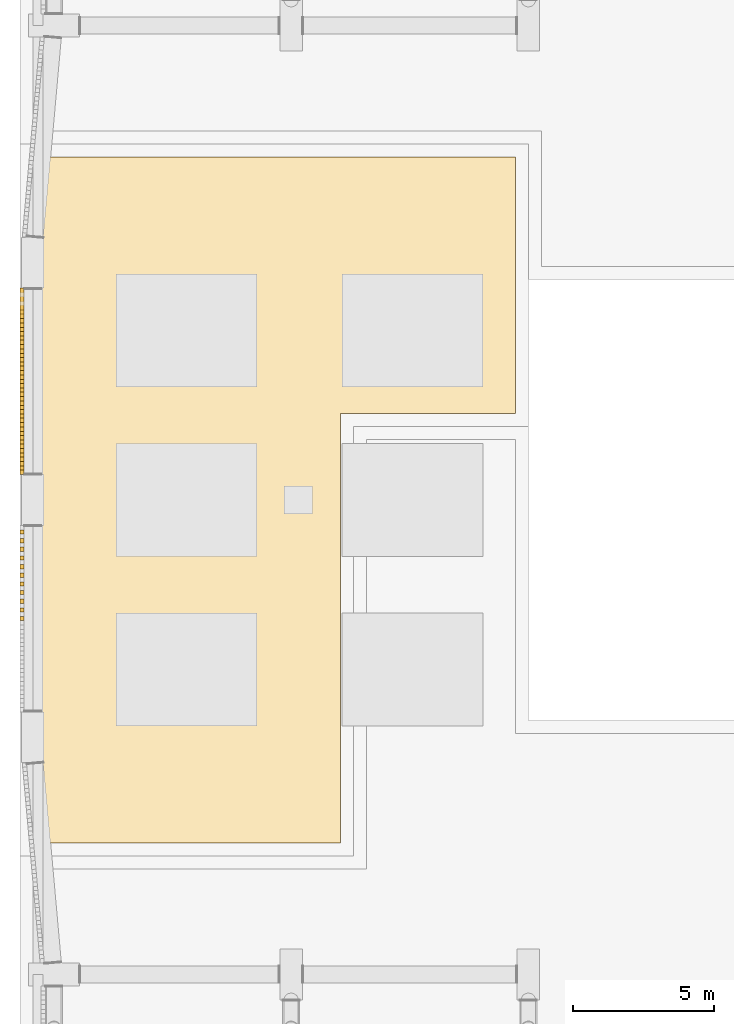
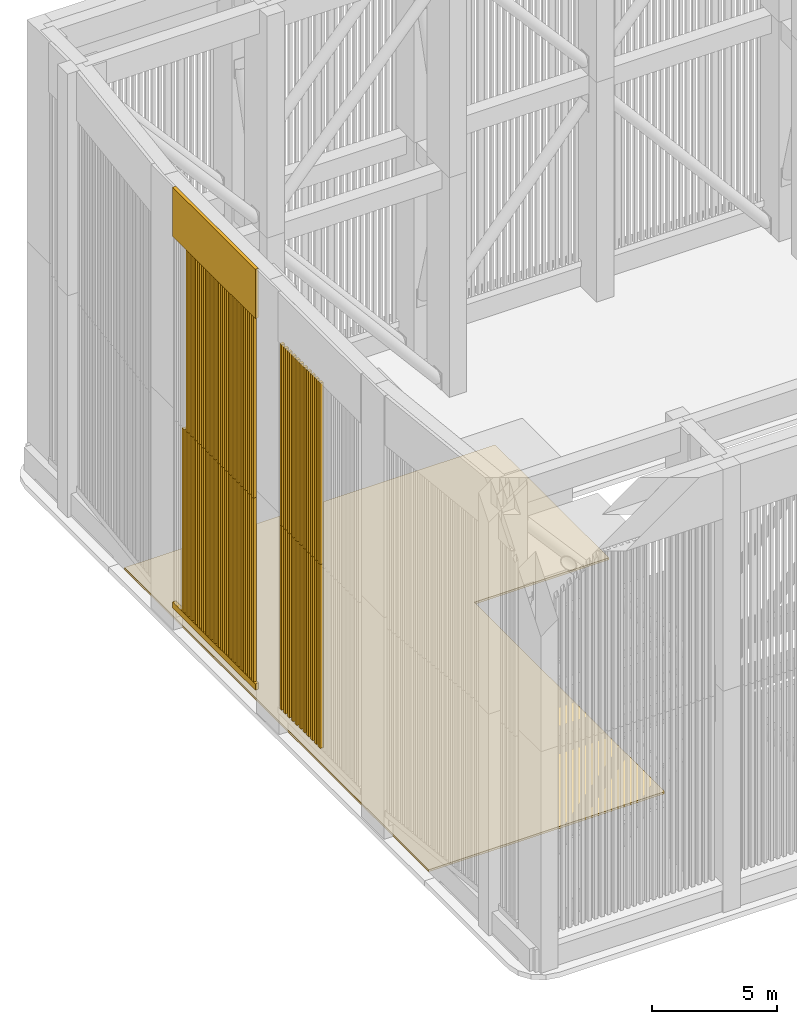
# One storey, part 14 of 27: 59 shading devices, 3 coverings.
"""IFC4 building model written with IfcOpenShell, lengths in metres."""

from ifc_helpers import new_model, si_unit, direction, frame, origin, origin_2d, place, context, subcontext, project, spatial, polyline, rectangle, outline, extrude, material, layer, layer_set, type_object, element, save


model = new_model("IFC4")

# Units and contexts
model_context = context("Model", 3, precision=1e-05, world=origin(), true_north=direction((0.0, 1.0)))
body_context = subcontext(model_context, "Body", "Model", "MODEL_VIEW")
ifc_project = project(units=[si_unit("LENGTHUNIT", "METRE"), si_unit("AREAUNIT", "SQUARE_METRE"), si_unit("VOLUMEUNIT", "CUBIC_METRE"), si_unit("PLANEANGLEUNIT", "RADIAN"), si_unit("MASSUNIT", "GRAM", prefix="KILO")], contexts=[model_context])

# Site, building, storey
site_placement = place(None, origin())
site = spatial("IfcSite", under=ifc_project, at=site_placement, CompositionType="ELEMENT")
building_placement = place(site_placement, origin())
building = spatial("IfcBuilding", under=site, at=building_placement, Name="Claustro Exchange Tower", CompositionType="ELEMENT")
storey_placement = place(building_placement, frame((0.0, 0.0, 287.10009765625)))
storey = spatial("IfcBuildingStorey", under=building, at=storey_placement, Name="ROOF", CompositionType="ELEMENT", Elevation=287.10009765625)

# Coverings
ifc_material_1 = material(Name="Concrete HA-40 (C40/50), precast, white cement, acid-etched", Category="concrete")
ifc_layer_1 = layer(ifc_material_1, 0.14990234375)
ifc_layer_set_1 = layer_set([ifc_layer_1], Name="Concrete HA-40 (C40/50), precast, white cement, acid-etched")
covering_type_1 = type_object("IfcCoveringType", Name="CC1 150 precast concrete crown moulding", PredefinedType="MOLDING", material=ifc_layer_set_1)
covering_1_placement = place(storey_placement, frame((-1.12548828125, 29.39990234375, 1.10009765625), z_axis=(0.0, 0.0, 1.0), x_axis=(0.0, 1.0, 0.0)))
element("IfcCovering", 1, at=covering_1_placement, inside=storey, type_object=covering_type_1, Name="CROWN SILL CC1 1+-750/D - 1+-750/E", PredefinedType="MOLDING", context=body_context, shape_type="SweptSolid", body=[
    extrude(rectangle(XDim=6.59912109375, YDim=0.14990234375, at=origin_2d()), origin(), (0.0, 0.0, 1.0), 0.300048828125),
])
covering_2_placement = place(storey_placement, frame((-1.12548828125, 29.39990234375, 19.199951171875), z_axis=(0.0, 0.0, 1.0), x_axis=(0.0, 1.0, 0.0)))
element("IfcCovering", 2, at=covering_2_placement, inside=storey, type_object=covering_type_1, Name="CROWN CORNICE CC1 1+-750/D - 1+-750/E", PredefinedType="MOLDING", context=body_context, shape_type="SweptSolid", body=[
    extrude(rectangle(XDim=6.59912109375, YDim=0.14990234375, at=origin_2d()), origin(), (0.0, 0.0, 1.0), 2.39990234375),
])

# Shading devices
ifc_material_2 = material(Name="Concrete HA-40 (C40/50), precast, white cement, acid-etched", Category="concrete")
shading_device_type = type_object("IfcShadingDeviceType", Name="LV1 150 x 150 precast concrete crown louvre", PredefinedType="USERDEFINED", material=ifc_material_2)
shading_device_1_placement = place(storey_placement, frame((-1.12548828125, 21.0, 1.39990234375), z_axis=(0.0, 0.0, 1.0), x_axis=(0.0, 1.0, 0.0)))
element("IfcShadingDevice", 3, at=shading_device_1_placement, inside=storey, type_object=shading_device_type, Name="CROWN LOUVRE LV1 1+-750/C - 1+-750/D 11 lower", ObjectType="CROWN LOUVRE", PredefinedType="USERDEFINED", context=body_context, shape_type="SweptSolid", body=[
    extrude(rectangle(XDim=0.14990234375, YDim=0.14990234375, at=origin_2d()), origin(), (0.0, 0.0, 1.0), 8.949951171875),
])
shading_device_2_placement = place(storey_placement, frame((-1.12548828125, 21.0, 10.349853515625), z_axis=(0.0, 0.0, 1.0), x_axis=(0.0, 1.0, 0.0)))
element("IfcShadingDevice", 4, at=shading_device_2_placement, inside=storey, type_object=shading_device_type, Name="CROWN LOUVRE LV1 1+-750/C - 1+-750/D 11 upper", ObjectType="CROWN LOUVRE", PredefinedType="USERDEFINED", context=body_context, shape_type="SweptSolid", body=[
    extrude(rectangle(XDim=0.14990234375, YDim=0.14990234375, at=origin_2d()), origin(), (0.0, 0.0, 1.0), 8.85009765625),
])
shading_device_3_placement = place(storey_placement, frame((-1.12548828125, 21.306884765625, 1.39990234375), z_axis=(0.0, 0.0, 1.0), x_axis=(0.0, 1.0, 0.0)))
element("IfcShadingDevice", 5, at=shading_device_3_placement, inside=storey, type_object=shading_device_type, Name="CROWN LOUVRE LV1 1+-750/C - 1+-750/D 12 lower", ObjectType="CROWN LOUVRE", PredefinedType="USERDEFINED", context=body_context, shape_type="SweptSolid", body=[
    extrude(rectangle(XDim=0.14990234375, YDim=0.14990234375, at=origin_2d()), origin(), (0.0, 0.0, 1.0), 8.949951171875),
])
shading_device_4_placement = place(storey_placement, frame((-1.12548828125, 21.306884765625, 10.349853515625), z_axis=(0.0, 0.0, 1.0), x_axis=(0.0, 1.0, 0.0)))
element("IfcShadingDevice", 6, at=shading_device_4_placement, inside=storey, type_object=shading_device_type, Name="CROWN LOUVRE LV1 1+-750/C - 1+-750/D 12 upper", ObjectType="CROWN LOUVRE", PredefinedType="USERDEFINED", context=body_context, shape_type="SweptSolid", body=[
    extrude(rectangle(XDim=0.14990234375, YDim=0.14990234375, at=origin_2d()), origin(), (0.0, 0.0, 1.0), 8.85009765625),
])
shading_device_5_placement = place(storey_placement, frame((-1.12548828125, 21.613525390625, 1.39990234375), z_axis=(0.0, 0.0, 1.0), x_axis=(0.0, 1.0, 0.0)))
element("IfcShadingDevice", 7, at=shading_device_5_placement, inside=storey, type_object=shading_device_type, Name="CROWN LOUVRE LV1 1+-750/C - 1+-750/D 13 lower", ObjectType="CROWN LOUVRE", PredefinedType="USERDEFINED", context=body_context, shape_type="SweptSolid", body=[
    extrude(rectangle(XDim=0.14990234375, YDim=0.14990234375, at=origin_2d()), origin(), (0.0, 0.0, 1.0), 8.949951171875),
])
shading_device_6_placement = place(storey_placement, frame((-1.12548828125, 21.613525390625, 10.349853515625), z_axis=(0.0, 0.0, 1.0), x_axis=(0.0, 1.0, 0.0)))
element("IfcShadingDevice", 8, at=shading_device_6_placement, inside=storey, type_object=shading_device_type, Name="CROWN LOUVRE LV1 1+-750/C - 1+-750/D 13 upper", ObjectType="CROWN LOUVRE", PredefinedType="USERDEFINED", context=body_context, shape_type="SweptSolid", body=[
    extrude(rectangle(XDim=0.14990234375, YDim=0.14990234375, at=origin_2d()), origin(), (0.0, 0.0, 1.0), 8.85009765625),
])
shading_device_7_placement = place(storey_placement, frame((-1.12548828125, 21.92041015625, 1.39990234375), z_axis=(0.0, 0.0, 1.0), x_axis=(0.0, 1.0, 0.0)))
element("IfcShadingDevice", 9, at=shading_device_7_placement, inside=storey, type_object=shading_device_type, Name="CROWN LOUVRE LV1 1+-750/C - 1+-750/D 14 lower", ObjectType="CROWN LOUVRE", PredefinedType="USERDEFINED", context=body_context, shape_type="SweptSolid", body=[
    extrude(rectangle(XDim=0.14990234375, YDim=0.14990234375, at=origin_2d()), origin(), (0.0, 0.0, 1.0), 8.949951171875),
])
shading_device_8_placement = place(storey_placement, frame((-1.12548828125, 21.92041015625, 10.349853515625), z_axis=(0.0, 0.0, 1.0), x_axis=(0.0, 1.0, 0.0)))
element("IfcShadingDevice", 10, at=shading_device_8_placement, inside=storey, type_object=shading_device_type, Name="CROWN LOUVRE LV1 1+-750/C - 1+-750/D 14 upper", ObjectType="CROWN LOUVRE", PredefinedType="USERDEFINED", context=body_context, shape_type="SweptSolid", body=[
    extrude(rectangle(XDim=0.14990234375, YDim=0.14990234375, at=origin_2d()), origin(), (0.0, 0.0, 1.0), 8.85009765625),
])
shading_device_9_placement = place(storey_placement, frame((-1.12548828125, 22.22705078125, 1.39990234375), z_axis=(0.0, 0.0, 1.0), x_axis=(0.0, 1.0, 0.0)))
element("IfcShadingDevice", 11, at=shading_device_9_placement, inside=storey, type_object=shading_device_type, Name="CROWN LOUVRE LV1 1+-750/C - 1+-750/D 15 lower", ObjectType="CROWN LOUVRE", PredefinedType="USERDEFINED", context=body_context, shape_type="SweptSolid", body=[
    extrude(rectangle(XDim=0.14990234375, YDim=0.14990234375, at=origin_2d()), origin(), (0.0, 0.0, 1.0), 8.949951171875),
])
shading_device_10_placement = place(storey_placement, frame((-1.12548828125, 22.22705078125, 10.349853515625), z_axis=(0.0, 0.0, 1.0), x_axis=(0.0, 1.0, 0.0)))
element("IfcShadingDevice", 12, at=shading_device_10_placement, inside=storey, type_object=shading_device_type, Name="CROWN LOUVRE LV1 1+-750/C - 1+-750/D 15 upper", ObjectType="CROWN LOUVRE", PredefinedType="USERDEFINED", context=body_context, shape_type="SweptSolid", body=[
    extrude(rectangle(XDim=0.14990234375, YDim=0.14990234375, at=origin_2d()), origin(), (0.0, 0.0, 1.0), 8.85009765625),
])
shading_device_11_placement = place(storey_placement, frame((-1.12548828125, 22.533935546875, 1.39990234375), z_axis=(0.0, 0.0, 1.0), x_axis=(0.0, 1.0, 0.0)))
element("IfcShadingDevice", 13, at=shading_device_11_placement, inside=storey, type_object=shading_device_type, Name="CROWN LOUVRE LV1 1+-750/C - 1+-750/D 16 lower", ObjectType="CROWN LOUVRE", PredefinedType="USERDEFINED", context=body_context, shape_type="SweptSolid", body=[
    extrude(rectangle(XDim=0.14990234375, YDim=0.14990234375, at=origin_2d()), origin(), (0.0, 0.0, 1.0), 8.949951171875),
])
shading_device_12_placement = place(storey_placement, frame((-1.12548828125, 22.533935546875, 10.349853515625), z_axis=(0.0, 0.0, 1.0), x_axis=(0.0, 1.0, 0.0)))
element("IfcShadingDevice", 14, at=shading_device_12_placement, inside=storey, type_object=shading_device_type, Name="CROWN LOUVRE LV1 1+-750/C - 1+-750/D 16 upper", ObjectType="CROWN LOUVRE", PredefinedType="USERDEFINED", context=body_context, shape_type="SweptSolid", body=[
    extrude(rectangle(XDim=0.14990234375, YDim=0.14990234375, at=origin_2d()), origin(), (0.0, 0.0, 1.0), 8.85009765625),
])
shading_device_13_placement = place(storey_placement, frame((-1.12548828125, 22.840576171875, 1.39990234375), z_axis=(0.0, 0.0, 1.0), x_axis=(0.0, 1.0, 0.0)))
element("IfcShadingDevice", 15, at=shading_device_13_placement, inside=storey, type_object=shading_device_type, Name="CROWN LOUVRE LV1 1+-750/C - 1+-750/D 17 lower", ObjectType="CROWN LOUVRE", PredefinedType="USERDEFINED", context=body_context, shape_type="SweptSolid", body=[
    extrude(rectangle(XDim=0.14990234375, YDim=0.14990234375, at=origin_2d()), origin(), (0.0, 0.0, 1.0), 8.949951171875),
])
shading_device_14_placement = place(storey_placement, frame((-1.12548828125, 22.840576171875, 10.349853515625), z_axis=(0.0, 0.0, 1.0), x_axis=(0.0, 1.0, 0.0)))
element("IfcShadingDevice", 16, at=shading_device_14_placement, inside=storey, type_object=shading_device_type, Name="CROWN LOUVRE LV1 1+-750/C - 1+-750/D 17 upper", ObjectType="CROWN LOUVRE", PredefinedType="USERDEFINED", context=body_context, shape_type="SweptSolid", body=[
    extrude(rectangle(XDim=0.14990234375, YDim=0.14990234375, at=origin_2d()), origin(), (0.0, 0.0, 1.0), 8.85009765625),
])
shading_device_15_placement = place(storey_placement, frame((-1.12548828125, 23.1474609375, 1.39990234375), z_axis=(0.0, 0.0, 1.0), x_axis=(0.0, 1.0, 0.0)))
element("IfcShadingDevice", 17, at=shading_device_15_placement, inside=storey, type_object=shading_device_type, Name="CROWN LOUVRE LV1 1+-750/C - 1+-750/D 18 lower", ObjectType="CROWN LOUVRE", PredefinedType="USERDEFINED", context=body_context, shape_type="SweptSolid", body=[
    extrude(rectangle(XDim=0.14990234375, YDim=0.14990234375, at=origin_2d()), origin(), (0.0, 0.0, 1.0), 8.949951171875),
])
shading_device_16_placement = place(storey_placement, frame((-1.12548828125, 23.1474609375, 10.349853515625), z_axis=(0.0, 0.0, 1.0), x_axis=(0.0, 1.0, 0.0)))
element("IfcShadingDevice", 18, at=shading_device_16_placement, inside=storey, type_object=shading_device_type, Name="CROWN LOUVRE LV1 1+-750/C - 1+-750/D 18 upper", ObjectType="CROWN LOUVRE", PredefinedType="USERDEFINED", context=body_context, shape_type="SweptSolid", body=[
    extrude(rectangle(XDim=0.14990234375, YDim=0.14990234375, at=origin_2d()), origin(), (0.0, 0.0, 1.0), 8.85009765625),
])
shading_device_17_placement = place(storey_placement, frame((-1.12548828125, 23.4541015625, 1.39990234375), z_axis=(0.0, 0.0, 1.0), x_axis=(0.0, 1.0, 0.0)))
element("IfcShadingDevice", 19, at=shading_device_17_placement, inside=storey, type_object=shading_device_type, Name="CROWN LOUVRE LV1 1+-750/C - 1+-750/D 19 lower", ObjectType="CROWN LOUVRE", PredefinedType="USERDEFINED", context=body_context, shape_type="SweptSolid", body=[
    extrude(rectangle(XDim=0.14990234375, YDim=0.14990234375, at=origin_2d()), origin(), (0.0, 0.0, 1.0), 8.949951171875),
])
shading_device_18_placement = place(storey_placement, frame((-1.12548828125, 23.4541015625, 10.349853515625), z_axis=(0.0, 0.0, 1.0), x_axis=(0.0, 1.0, 0.0)))
element("IfcShadingDevice", 20, at=shading_device_18_placement, inside=storey, type_object=shading_device_type, Name="CROWN LOUVRE LV1 1+-750/C - 1+-750/D 19 upper", ObjectType="CROWN LOUVRE", PredefinedType="USERDEFINED", context=body_context, shape_type="SweptSolid", body=[
    extrude(rectangle(XDim=0.14990234375, YDim=0.14990234375, at=origin_2d()), origin(), (0.0, 0.0, 1.0), 8.85009765625),
])
shading_device_19_placement = place(storey_placement, frame((-1.12548828125, 23.760986328125, 1.39990234375), z_axis=(0.0, 0.0, 1.0), x_axis=(0.0, 1.0, 0.0)))
element("IfcShadingDevice", 21, at=shading_device_19_placement, inside=storey, type_object=shading_device_type, Name="CROWN LOUVRE LV1 1+-750/C - 1+-750/D 20 lower", ObjectType="CROWN LOUVRE", PredefinedType="USERDEFINED", context=body_context, shape_type="SweptSolid", body=[
    extrude(rectangle(XDim=0.14990234375, YDim=0.14990234375, at=origin_2d()), origin(), (0.0, 0.0, 1.0), 8.949951171875),
])
shading_device_20_placement = place(storey_placement, frame((-1.12548828125, 23.760986328125, 10.349853515625), z_axis=(0.0, 0.0, 1.0), x_axis=(0.0, 1.0, 0.0)))
element("IfcShadingDevice", 22, at=shading_device_20_placement, inside=storey, type_object=shading_device_type, Name="CROWN LOUVRE LV1 1+-750/C - 1+-750/D 20 upper", ObjectType="CROWN LOUVRE", PredefinedType="USERDEFINED", context=body_context, shape_type="SweptSolid", body=[
    extrude(rectangle(XDim=0.14990234375, YDim=0.14990234375, at=origin_2d()), origin(), (0.0, 0.0, 1.0), 8.85009765625),
])
shading_device_21_placement = place(storey_placement, frame((-1.12548828125, 24.067626953125, 1.39990234375), z_axis=(0.0, 0.0, 1.0), x_axis=(0.0, 1.0, 0.0)))
element("IfcShadingDevice", 23, at=shading_device_21_placement, inside=storey, type_object=shading_device_type, Name="CROWN LOUVRE LV1 1+-750/C - 1+-750/D 21 lower", ObjectType="CROWN LOUVRE", PredefinedType="USERDEFINED", context=body_context, shape_type="SweptSolid", body=[
    extrude(rectangle(XDim=0.14990234375, YDim=0.14990234375, at=origin_2d()), origin(), (0.0, 0.0, 1.0), 8.949951171875),
])
shading_device_22_placement = place(storey_placement, frame((-1.12548828125, 24.067626953125, 10.349853515625), z_axis=(0.0, 0.0, 1.0), x_axis=(0.0, 1.0, 0.0)))
element("IfcShadingDevice", 24, at=shading_device_22_placement, inside=storey, type_object=shading_device_type, Name="CROWN LOUVRE LV1 1+-750/C - 1+-750/D 21 upper", ObjectType="CROWN LOUVRE", PredefinedType="USERDEFINED", context=body_context, shape_type="SweptSolid", body=[
    extrude(rectangle(XDim=0.14990234375, YDim=0.14990234375, at=origin_2d()), origin(), (0.0, 0.0, 1.0), 8.85009765625),
])
shading_device_23_placement = place(storey_placement, frame((-1.12548828125, 26.332275390625, 1.39990234375), z_axis=(0.0, 0.0, 1.0), x_axis=(0.0, 1.0, 0.0)))
element("IfcShadingDevice", 25, at=shading_device_23_placement, inside=storey, type_object=shading_device_type, Name="CROWN LOUVRE LV1 1+-750/D - 1+-750/E 01 lower", ObjectType="CROWN LOUVRE", PredefinedType="USERDEFINED", context=body_context, shape_type="SweptSolid", body=[
    extrude(rectangle(XDim=0.14990234375, YDim=0.14990234375, at=origin_2d()), origin(), (0.0, 0.0, 1.0), 8.949951171875),
])
shading_device_24_placement = place(storey_placement, frame((-1.12548828125, 26.332275390625, 10.349853515625), z_axis=(0.0, 0.0, 1.0), x_axis=(0.0, 1.0, 0.0)))
element("IfcShadingDevice", 26, at=shading_device_24_placement, inside=storey, type_object=shading_device_type, Name="CROWN LOUVRE LV1 1+-750/D - 1+-750/E 01 upper", ObjectType="CROWN LOUVRE", PredefinedType="USERDEFINED", context=body_context, shape_type="SweptSolid", body=[
    extrude(rectangle(XDim=0.14990234375, YDim=0.14990234375, at=origin_2d()), origin(), (0.0, 0.0, 1.0), 8.85009765625),
])
shading_device_25_placement = place(storey_placement, frame((-1.12548828125, 26.638916015625, 1.39990234375), z_axis=(0.0, 0.0, 1.0), x_axis=(0.0, 1.0, 0.0)))
element("IfcShadingDevice", 27, at=shading_device_25_placement, inside=storey, type_object=shading_device_type, Name="CROWN LOUVRE LV1 1+-750/D - 1+-750/E 02 lower", ObjectType="CROWN LOUVRE", PredefinedType="USERDEFINED", context=body_context, shape_type="SweptSolid", body=[
    extrude(rectangle(XDim=0.14990234375, YDim=0.14990234375, at=origin_2d()), origin(), (0.0, 0.0, 1.0), 8.949951171875),
])
shading_device_26_placement = place(storey_placement, frame((-1.12548828125, 26.638916015625, 10.349853515625), z_axis=(0.0, 0.0, 1.0), x_axis=(0.0, 1.0, 0.0)))
element("IfcShadingDevice", 28, at=shading_device_26_placement, inside=storey, type_object=shading_device_type, Name="CROWN LOUVRE LV1 1+-750/D - 1+-750/E 02 upper", ObjectType="CROWN LOUVRE", PredefinedType="USERDEFINED", context=body_context, shape_type="SweptSolid", body=[
    extrude(rectangle(XDim=0.14990234375, YDim=0.14990234375, at=origin_2d()), origin(), (0.0, 0.0, 1.0), 8.85009765625),
])
shading_device_27_placement = place(storey_placement, frame((-1.12548828125, 26.94580078125, 1.39990234375), z_axis=(0.0, 0.0, 1.0), x_axis=(0.0, 1.0, 0.0)))
element("IfcShadingDevice", 29, at=shading_device_27_placement, inside=storey, type_object=shading_device_type, Name="CROWN LOUVRE LV1 1+-750/D - 1+-750/E 03 lower", ObjectType="CROWN LOUVRE", PredefinedType="USERDEFINED", context=body_context, shape_type="SweptSolid", body=[
    extrude(rectangle(XDim=0.14990234375, YDim=0.14990234375, at=origin_2d()), origin(), (0.0, 0.0, 1.0), 8.949951171875),
])
shading_device_28_placement = place(storey_placement, frame((-1.12548828125, 26.94580078125, 10.349853515625), z_axis=(0.0, 0.0, 1.0), x_axis=(0.0, 1.0, 0.0)))
element("IfcShadingDevice", 30, at=shading_device_28_placement, inside=storey, type_object=shading_device_type, Name="CROWN LOUVRE LV1 1+-750/D - 1+-750/E 03 upper", ObjectType="CROWN LOUVRE", PredefinedType="USERDEFINED", context=body_context, shape_type="SweptSolid", body=[
    extrude(rectangle(XDim=0.14990234375, YDim=0.14990234375, at=origin_2d()), origin(), (0.0, 0.0, 1.0), 8.85009765625),
])
shading_device_29_placement = place(storey_placement, frame((-1.12548828125, 27.252685546875, 1.39990234375), z_axis=(0.0, 0.0, 1.0), x_axis=(0.0, 1.0, 0.0)))
element("IfcShadingDevice", 31, at=shading_device_29_placement, inside=storey, type_object=shading_device_type, Name="CROWN LOUVRE LV1 1+-750/D - 1+-750/E 04 lower", ObjectType="CROWN LOUVRE", PredefinedType="USERDEFINED", context=body_context, shape_type="SweptSolid", body=[
    extrude(rectangle(XDim=0.14990234375, YDim=0.14990234375, at=origin_2d()), origin(), (0.0, 0.0, 1.0), 8.949951171875),
])
shading_device_30_placement = place(storey_placement, frame((-1.12548828125, 27.252685546875, 10.349853515625), z_axis=(0.0, 0.0, 1.0), x_axis=(0.0, 1.0, 0.0)))
element("IfcShadingDevice", 32, at=shading_device_30_placement, inside=storey, type_object=shading_device_type, Name="CROWN LOUVRE LV1 1+-750/D - 1+-750/E 04 upper", ObjectType="CROWN LOUVRE", PredefinedType="USERDEFINED", context=body_context, shape_type="SweptSolid", body=[
    extrude(rectangle(XDim=0.14990234375, YDim=0.14990234375, at=origin_2d()), origin(), (0.0, 0.0, 1.0), 8.85009765625),
])
shading_device_31_placement = place(storey_placement, frame((-1.12548828125, 27.559326171875, 1.39990234375), z_axis=(0.0, 0.0, 1.0), x_axis=(0.0, 1.0, 0.0)))
element("IfcShadingDevice", 33, at=shading_device_31_placement, inside=storey, type_object=shading_device_type, Name="CROWN LOUVRE LV1 1+-750/D - 1+-750/E 05 lower", ObjectType="CROWN LOUVRE", PredefinedType="USERDEFINED", context=body_context, shape_type="SweptSolid", body=[
    extrude(rectangle(XDim=0.14990234375, YDim=0.14990234375, at=origin_2d()), origin(), (0.0, 0.0, 1.0), 8.949951171875),
])
shading_device_32_placement = place(storey_placement, frame((-1.12548828125, 27.559326171875, 10.349853515625), z_axis=(0.0, 0.0, 1.0), x_axis=(0.0, 1.0, 0.0)))
element("IfcShadingDevice", 34, at=shading_device_32_placement, inside=storey, type_object=shading_device_type, Name="CROWN LOUVRE LV1 1+-750/D - 1+-750/E 05 upper", ObjectType="CROWN LOUVRE", PredefinedType="USERDEFINED", context=body_context, shape_type="SweptSolid", body=[
    extrude(rectangle(XDim=0.14990234375, YDim=0.14990234375, at=origin_2d()), origin(), (0.0, 0.0, 1.0), 8.85009765625),
])
shading_device_33_placement = place(storey_placement, frame((-1.12548828125, 27.8662109375, 1.39990234375), z_axis=(0.0, 0.0, 1.0), x_axis=(0.0, 1.0, 0.0)))
element("IfcShadingDevice", 35, at=shading_device_33_placement, inside=storey, type_object=shading_device_type, Name="CROWN LOUVRE LV1 1+-750/D - 1+-750/E 06 lower", ObjectType="CROWN LOUVRE", PredefinedType="USERDEFINED", context=body_context, shape_type="SweptSolid", body=[
    extrude(rectangle(XDim=0.14990234375, YDim=0.14990234375, at=origin_2d()), origin(), (0.0, 0.0, 1.0), 8.949951171875),
])
shading_device_34_placement = place(storey_placement, frame((-1.12548828125, 27.8662109375, 10.349853515625), z_axis=(0.0, 0.0, 1.0), x_axis=(0.0, 1.0, 0.0)))
element("IfcShadingDevice", 36, at=shading_device_34_placement, inside=storey, type_object=shading_device_type, Name="CROWN LOUVRE LV1 1+-750/D - 1+-750/E 06 upper", ObjectType="CROWN LOUVRE", PredefinedType="USERDEFINED", context=body_context, shape_type="SweptSolid", body=[
    extrude(rectangle(XDim=0.14990234375, YDim=0.14990234375, at=origin_2d()), origin(), (0.0, 0.0, 1.0), 8.85009765625),
])
shading_device_35_placement = place(storey_placement, frame((-1.12548828125, 28.1728515625, 1.39990234375), z_axis=(0.0, 0.0, 1.0), x_axis=(0.0, 1.0, 0.0)))
element("IfcShadingDevice", 37, at=shading_device_35_placement, inside=storey, type_object=shading_device_type, Name="CROWN LOUVRE LV1 1+-750/D - 1+-750/E 07 lower", ObjectType="CROWN LOUVRE", PredefinedType="USERDEFINED", context=body_context, shape_type="SweptSolid", body=[
    extrude(rectangle(XDim=0.14990234375, YDim=0.14990234375, at=origin_2d()), origin(), (0.0, 0.0, 1.0), 8.949951171875),
])
shading_device_36_placement = place(storey_placement, frame((-1.12548828125, 28.1728515625, 10.349853515625), z_axis=(0.0, 0.0, 1.0), x_axis=(0.0, 1.0, 0.0)))
element("IfcShadingDevice", 38, at=shading_device_36_placement, inside=storey, type_object=shading_device_type, Name="CROWN LOUVRE LV1 1+-750/D - 1+-750/E 07 upper", ObjectType="CROWN LOUVRE", PredefinedType="USERDEFINED", context=body_context, shape_type="SweptSolid", body=[
    extrude(rectangle(XDim=0.14990234375, YDim=0.14990234375, at=origin_2d()), origin(), (0.0, 0.0, 1.0), 8.85009765625),
])
shading_device_37_placement = place(storey_placement, frame((-1.12548828125, 28.479736328125, 1.39990234375), z_axis=(0.0, 0.0, 1.0), x_axis=(0.0, 1.0, 0.0)))
element("IfcShadingDevice", 39, at=shading_device_37_placement, inside=storey, type_object=shading_device_type, Name="CROWN LOUVRE LV1 1+-750/D - 1+-750/E 08 lower", ObjectType="CROWN LOUVRE", PredefinedType="USERDEFINED", context=body_context, shape_type="SweptSolid", body=[
    extrude(rectangle(XDim=0.14990234375, YDim=0.14990234375, at=origin_2d()), origin(), (0.0, 0.0, 1.0), 8.949951171875),
])
shading_device_38_placement = place(storey_placement, frame((-1.12548828125, 28.479736328125, 10.349853515625), z_axis=(0.0, 0.0, 1.0), x_axis=(0.0, 1.0, 0.0)))
element("IfcShadingDevice", 40, at=shading_device_38_placement, inside=storey, type_object=shading_device_type, Name="CROWN LOUVRE LV1 1+-750/D - 1+-750/E 08 upper", ObjectType="CROWN LOUVRE", PredefinedType="USERDEFINED", context=body_context, shape_type="SweptSolid", body=[
    extrude(rectangle(XDim=0.14990234375, YDim=0.14990234375, at=origin_2d()), origin(), (0.0, 0.0, 1.0), 8.85009765625),
])
shading_device_39_placement = place(storey_placement, frame((-1.12548828125, 28.78662109375, 1.39990234375), z_axis=(0.0, 0.0, 1.0), x_axis=(0.0, 1.0, 0.0)))
element("IfcShadingDevice", 41, at=shading_device_39_placement, inside=storey, type_object=shading_device_type, Name="CROWN LOUVRE LV1 1+-750/D - 1+-750/E 09 lower", ObjectType="CROWN LOUVRE", PredefinedType="USERDEFINED", context=body_context, shape_type="SweptSolid", body=[
    extrude(rectangle(XDim=0.14990234375, YDim=0.14990234375, at=origin_2d()), origin(), (0.0, 0.0, 1.0), 8.949951171875),
])
shading_device_40_placement = place(storey_placement, frame((-1.12548828125, 28.78662109375, 10.349853515625), z_axis=(0.0, 0.0, 1.0), x_axis=(0.0, 1.0, 0.0)))
element("IfcShadingDevice", 42, at=shading_device_40_placement, inside=storey, type_object=shading_device_type, Name="CROWN LOUVRE LV1 1+-750/D - 1+-750/E 09 upper", ObjectType="CROWN LOUVRE", PredefinedType="USERDEFINED", context=body_context, shape_type="SweptSolid", body=[
    extrude(rectangle(XDim=0.14990234375, YDim=0.14990234375, at=origin_2d()), origin(), (0.0, 0.0, 1.0), 8.85009765625),
])
shading_device_41_placement = place(storey_placement, frame((-1.12548828125, 29.09326171875, 1.39990234375), z_axis=(0.0, 0.0, 1.0), x_axis=(0.0, 1.0, 0.0)))
element("IfcShadingDevice", 43, at=shading_device_41_placement, inside=storey, type_object=shading_device_type, Name="CROWN LOUVRE LV1 1+-750/D - 1+-750/E 10 lower", ObjectType="CROWN LOUVRE", PredefinedType="USERDEFINED", context=body_context, shape_type="SweptSolid", body=[
    extrude(rectangle(XDim=0.14990234375, YDim=0.14990234375, at=origin_2d()), origin(), (0.0, 0.0, 1.0), 8.949951171875),
])
shading_device_42_placement = place(storey_placement, frame((-1.12548828125, 29.09326171875, 10.349853515625), z_axis=(0.0, 0.0, 1.0), x_axis=(0.0, 1.0, 0.0)))
element("IfcShadingDevice", 44, at=shading_device_42_placement, inside=storey, type_object=shading_device_type, Name="CROWN LOUVRE LV1 1+-750/D - 1+-750/E 10 upper", ObjectType="CROWN LOUVRE", PredefinedType="USERDEFINED", context=body_context, shape_type="SweptSolid", body=[
    extrude(rectangle(XDim=0.14990234375, YDim=0.14990234375, at=origin_2d()), origin(), (0.0, 0.0, 1.0), 8.85009765625),
])
shading_device_43_placement = place(storey_placement, frame((-1.12548828125, 29.39990234375, 1.39990234375), z_axis=(0.0, 0.0, 1.0), x_axis=(0.0, 1.0, 0.0)))
element("IfcShadingDevice", 45, at=shading_device_43_placement, inside=storey, type_object=shading_device_type, Name="CROWN LOUVRE LV1 1+-750/D - 1+-750/E 11 lower", ObjectType="CROWN LOUVRE", PredefinedType="USERDEFINED", context=body_context, shape_type="SweptSolid", body=[
    extrude(rectangle(XDim=0.14990234375, YDim=0.14990234375, at=origin_2d()), origin(), (0.0, 0.0, 1.0), 8.949951171875),
])
shading_device_44_placement = place(storey_placement, frame((-1.12548828125, 29.39990234375, 10.349853515625), z_axis=(0.0, 0.0, 1.0), x_axis=(0.0, 1.0, 0.0)))
element("IfcShadingDevice", 46, at=shading_device_44_placement, inside=storey, type_object=shading_device_type, Name="CROWN LOUVRE LV1 1+-750/D - 1+-750/E 11 upper", ObjectType="CROWN LOUVRE", PredefinedType="USERDEFINED", context=body_context, shape_type="SweptSolid", body=[
    extrude(rectangle(XDim=0.14990234375, YDim=0.14990234375, at=origin_2d()), origin(), (0.0, 0.0, 1.0), 8.85009765625),
])
shading_device_45_placement = place(storey_placement, frame((-1.12548828125, 29.706787109375, 1.39990234375), z_axis=(0.0, 0.0, 1.0), x_axis=(0.0, 1.0, 0.0)))
element("IfcShadingDevice", 47, at=shading_device_45_placement, inside=storey, type_object=shading_device_type, Name="CROWN LOUVRE LV1 1+-750/D - 1+-750/E 12 lower", ObjectType="CROWN LOUVRE", PredefinedType="USERDEFINED", context=body_context, shape_type="SweptSolid", body=[
    extrude(rectangle(XDim=0.14990234375, YDim=0.14990234375, at=origin_2d()), origin(), (0.0, 0.0, 1.0), 8.949951171875),
])
shading_device_46_placement = place(storey_placement, frame((-1.12548828125, 29.706787109375, 10.349853515625), z_axis=(0.0, 0.0, 1.0), x_axis=(0.0, 1.0, 0.0)))
element("IfcShadingDevice", 48, at=shading_device_46_placement, inside=storey, type_object=shading_device_type, Name="CROWN LOUVRE LV1 1+-750/D - 1+-750/E 12 upper", ObjectType="CROWN LOUVRE", PredefinedType="USERDEFINED", context=body_context, shape_type="SweptSolid", body=[
    extrude(rectangle(XDim=0.14990234375, YDim=0.14990234375, at=origin_2d()), origin(), (0.0, 0.0, 1.0), 8.85009765625),
])
shading_device_47_placement = place(storey_placement, frame((-1.12548828125, 30.013427734375, 1.39990234375), z_axis=(0.0, 0.0, 1.0), x_axis=(0.0, 1.0, 0.0)))
element("IfcShadingDevice", 49, at=shading_device_47_placement, inside=storey, type_object=shading_device_type, Name="CROWN LOUVRE LV1 1+-750/D - 1+-750/E 13 lower", ObjectType="CROWN LOUVRE", PredefinedType="USERDEFINED", context=body_context, shape_type="SweptSolid", body=[
    extrude(rectangle(XDim=0.14990234375, YDim=0.14990234375, at=origin_2d()), origin(), (0.0, 0.0, 1.0), 8.949951171875),
])
shading_device_48_placement = place(storey_placement, frame((-1.12548828125, 30.013427734375, 10.349853515625), z_axis=(0.0, 0.0, 1.0), x_axis=(0.0, 1.0, 0.0)))
element("IfcShadingDevice", 50, at=shading_device_48_placement, inside=storey, type_object=shading_device_type, Name="CROWN LOUVRE LV1 1+-750/D - 1+-750/E 13 upper", ObjectType="CROWN LOUVRE", PredefinedType="USERDEFINED", context=body_context, shape_type="SweptSolid", body=[
    extrude(rectangle(XDim=0.14990234375, YDim=0.14990234375, at=origin_2d()), origin(), (0.0, 0.0, 1.0), 8.85009765625),
])
shading_device_49_placement = place(storey_placement, frame((-1.12548828125, 30.3203125, 1.39990234375), z_axis=(0.0, 0.0, 1.0), x_axis=(0.0, 1.0, 0.0)))
element("IfcShadingDevice", 51, at=shading_device_49_placement, inside=storey, type_object=shading_device_type, Name="CROWN LOUVRE LV1 1+-750/D - 1+-750/E 14 lower", ObjectType="CROWN LOUVRE", PredefinedType="USERDEFINED", context=body_context, shape_type="SweptSolid", body=[
    extrude(rectangle(XDim=0.14990234375, YDim=0.14990234375, at=origin_2d()), origin(), (0.0, 0.0, 1.0), 8.949951171875),
])
shading_device_50_placement = place(storey_placement, frame((-1.12548828125, 30.3203125, 10.349853515625), z_axis=(0.0, 0.0, 1.0), x_axis=(0.0, 1.0, 0.0)))
element("IfcShadingDevice", 52, at=shading_device_50_placement, inside=storey, type_object=shading_device_type, Name="CROWN LOUVRE LV1 1+-750/D - 1+-750/E 14 upper", ObjectType="CROWN LOUVRE", PredefinedType="USERDEFINED", context=body_context, shape_type="SweptSolid", body=[
    extrude(rectangle(XDim=0.14990234375, YDim=0.14990234375, at=origin_2d()), origin(), (0.0, 0.0, 1.0), 8.85009765625),
])
shading_device_51_placement = place(storey_placement, frame((-1.12548828125, 30.627197265625, 1.39990234375), z_axis=(0.0, 0.0, 1.0), x_axis=(0.0, 1.0, 0.0)))
element("IfcShadingDevice", 53, at=shading_device_51_placement, inside=storey, type_object=shading_device_type, Name="CROWN LOUVRE LV1 1+-750/D - 1+-750/E 15 lower", ObjectType="CROWN LOUVRE", PredefinedType="USERDEFINED", context=body_context, shape_type="SweptSolid", body=[
    extrude(rectangle(XDim=0.14990234375, YDim=0.14990234375, at=origin_2d()), origin(), (0.0, 0.0, 1.0), 8.949951171875),
])
shading_device_52_placement = place(storey_placement, frame((-1.12548828125, 30.627197265625, 10.349853515625), z_axis=(0.0, 0.0, 1.0), x_axis=(0.0, 1.0, 0.0)))
element("IfcShadingDevice", 54, at=shading_device_52_placement, inside=storey, type_object=shading_device_type, Name="CROWN LOUVRE LV1 1+-750/D - 1+-750/E 15 upper", ObjectType="CROWN LOUVRE", PredefinedType="USERDEFINED", context=body_context, shape_type="SweptSolid", body=[
    extrude(rectangle(XDim=0.14990234375, YDim=0.14990234375, at=origin_2d()), origin(), (0.0, 0.0, 1.0), 8.85009765625),
])
shading_device_53_placement = place(storey_placement, frame((-1.12548828125, 30.933837890625, 1.39990234375), z_axis=(0.0, 0.0, 1.0), x_axis=(0.0, 1.0, 0.0)))
element("IfcShadingDevice", 55, at=shading_device_53_placement, inside=storey, type_object=shading_device_type, Name="CROWN LOUVRE LV1 1+-750/D - 1+-750/E 16 lower", ObjectType="CROWN LOUVRE", PredefinedType="USERDEFINED", context=body_context, shape_type="SweptSolid", body=[
    extrude(rectangle(XDim=0.14990234375, YDim=0.14990234375, at=origin_2d()), origin(), (0.0, 0.0, 1.0), 8.949951171875),
])
shading_device_54_placement = place(storey_placement, frame((-1.12548828125, 30.933837890625, 10.349853515625), z_axis=(0.0, 0.0, 1.0), x_axis=(0.0, 1.0, 0.0)))
element("IfcShadingDevice", 56, at=shading_device_54_placement, inside=storey, type_object=shading_device_type, Name="CROWN LOUVRE LV1 1+-750/D - 1+-750/E 16 upper", ObjectType="CROWN LOUVRE", PredefinedType="USERDEFINED", context=body_context, shape_type="SweptSolid", body=[
    extrude(rectangle(XDim=0.14990234375, YDim=0.14990234375, at=origin_2d()), origin(), (0.0, 0.0, 1.0), 8.85009765625),
])
shading_device_55_placement = place(storey_placement, frame((-1.12548828125, 31.240478515625, 1.39990234375), z_axis=(0.0, 0.0, 1.0), x_axis=(0.0, 1.0, 0.0)))
element("IfcShadingDevice", 57, at=shading_device_55_placement, inside=storey, type_object=shading_device_type, Name="CROWN LOUVRE LV1 1+-750/D - 1+-750/E 17 lower", ObjectType="CROWN LOUVRE", PredefinedType="USERDEFINED", context=body_context, shape_type="SweptSolid", body=[
    extrude(rectangle(XDim=0.14990234375, YDim=0.14990234375, at=origin_2d()), origin(), (0.0, 0.0, 1.0), 8.949951171875),
])
shading_device_56_placement = place(storey_placement, frame((-1.12548828125, 31.240478515625, 10.349853515625), z_axis=(0.0, 0.0, 1.0), x_axis=(0.0, 1.0, 0.0)))
element("IfcShadingDevice", 58, at=shading_device_56_placement, inside=storey, type_object=shading_device_type, Name="CROWN LOUVRE LV1 1+-750/D - 1+-750/E 17 upper", ObjectType="CROWN LOUVRE", PredefinedType="USERDEFINED", context=body_context, shape_type="SweptSolid", body=[
    extrude(rectangle(XDim=0.14990234375, YDim=0.14990234375, at=origin_2d()), origin(), (0.0, 0.0, 1.0), 8.85009765625),
])
shading_device_57_placement = place(storey_placement, frame((-1.12548828125, 31.54736328125, 1.39990234375), z_axis=(0.0, 0.0, 1.0), x_axis=(0.0, 1.0, 0.0)))
element("IfcShadingDevice", 59, at=shading_device_57_placement, inside=storey, type_object=shading_device_type, Name="CROWN LOUVRE LV1 1+-750/D - 1+-750/E 18 lower", ObjectType="CROWN LOUVRE", PredefinedType="USERDEFINED", context=body_context, shape_type="SweptSolid", body=[
    extrude(rectangle(XDim=0.14990234375, YDim=0.14990234375, at=origin_2d()), origin(), (0.0, 0.0, 1.0), 8.949951171875),
])
shading_device_58_placement = place(storey_placement, frame((-1.12548828125, 31.54736328125, 10.349853515625), z_axis=(0.0, 0.0, 1.0), x_axis=(0.0, 1.0, 0.0)))
element("IfcShadingDevice", 60, at=shading_device_58_placement, inside=storey, type_object=shading_device_type, Name="CROWN LOUVRE LV1 1+-750/D - 1+-750/E 18 upper", ObjectType="CROWN LOUVRE", PredefinedType="USERDEFINED", context=body_context, shape_type="SweptSolid", body=[
    extrude(rectangle(XDim=0.14990234375, YDim=0.14990234375, at=origin_2d()), origin(), (0.0, 0.0, 1.0), 8.85009765625),
])
shading_device_59_placement = place(storey_placement, frame((-1.12548828125, 31.854248046875, 1.39990234375), z_axis=(0.0, 0.0, 1.0), x_axis=(0.0, 1.0, 0.0)))
element("IfcShadingDevice", 61, at=shading_device_59_placement, inside=storey, type_object=shading_device_type, Name="CROWN LOUVRE LV1 1+-750/D - 1+-750/E 19 lower", ObjectType="CROWN LOUVRE", PredefinedType="USERDEFINED", context=body_context, shape_type="SweptSolid", body=[
    extrude(rectangle(XDim=0.14990234375, YDim=0.14990234375, at=origin_2d()), origin(), (0.0, 0.0, 1.0), 8.949951171875),
])

# Covering
ifc_material_3 = material(Name="Bituminous membrane, insulation, gravel ballast", Category="bitumen")
ifc_layer_2 = layer(ifc_material_3, 0.10009765625)
ifc_layer_set_2 = layer_set([ifc_layer_2], Name="Bituminous membrane, insulation, gravel ballast")
covering_type_2 = type_object("IfcCoveringType", Name="RM1 100 inverted roof membrane and ballast", PredefinedType="ROOFING", material=ifc_layer_set_2)
covering_3_placement = place(storey_placement, origin())
element("IfcCovering", 62, at=covering_3_placement, inside=storey, type_object=covering_type_2, Name="Roof finish RM1 over L64", PredefinedType="ROOFING", context=body_context, shape_type="SweptSolid", body=[
    extrude(outline(polyline([(-0.739990234375, 13.06005859375), (10.139892578125, 13.06005859375), (10.139892578125, 28.260009765625), (16.340087890625, 28.260009765625), (16.340087890625, 37.340087890625), (-0.739990234375, 37.340087890625), (-0.739990234375, 13.06005859375)])), origin(), (0.0, 0.0, 1.0), 0.099853515625),
])

save(model, "model.ifc")
